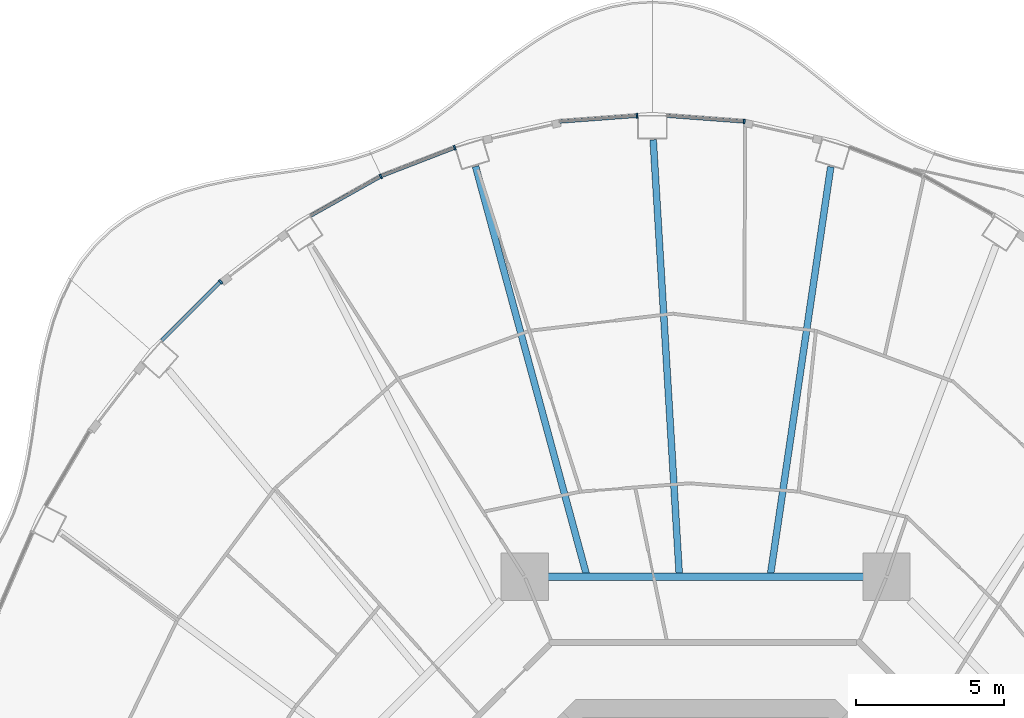
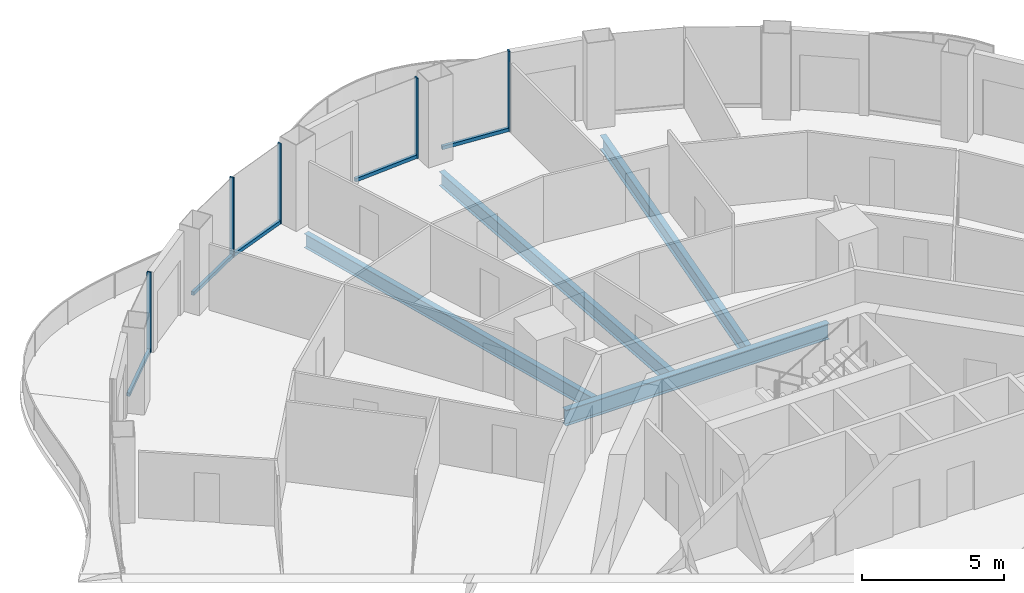
# One storey, part 6 of 18: 10 members, 4 beams, 5 elements without a shape of their own.
"""IFC4 building model written with IfcOpenShell, lengths in metres."""

from ifc_helpers import new_model, si_unit, direction, frame, origin, origin_2d, place, context, subcontext, project, spatial, rectangle, i_section, extrude, material, layer, layer_set, material_profile, profile_set, type_object, element, aggregate, save


model = new_model("IFC4")

# Units and contexts
model_context = context("Model", 3, precision=1e-05, world=origin(), true_north=direction((0.0, 1.0)))
body_context = subcontext(model_context, "Body", "Model", "MODEL_VIEW")
ifc_project = project(units=[si_unit("LENGTHUNIT", "METRE"), si_unit("AREAUNIT", "SQUARE_METRE"), si_unit("VOLUMEUNIT", "CUBIC_METRE"), si_unit("PLANEANGLEUNIT", "RADIAN"), si_unit("MASSUNIT", "GRAM", prefix="KILO")], contexts=[model_context])

# Site, building, storey
site_placement = place(None, origin())
site = spatial("IfcSite", under=ifc_project, at=site_placement, CompositionType="ELEMENT")
building_placement = place(site_placement, origin())
building = spatial("IfcBuilding", under=site, at=building_placement, Name="Nagisa Residences", CompositionType="ELEMENT")
storey_placement = place(building_placement, frame((0.0, 0.0, 212.199951171875)))
storey = spatial("IfcBuildingStorey", under=building, at=storey_placement, Name="L53", CompositionType="ELEMENT", Elevation=212.199951171875)

# Curtain wall, member
ifc_material_1 = material(Name="Concrete-coloured aluminium curtain wall system", Category="concrete")
ifc_layer = layer(ifc_material_1, 0.159912109375)
ifc_layer_set = layer_set([ifc_layer], Name="CW1 CURTAIN WALL")
curtain_wall_type = type_object("IfcCurtainWallType", Name="CW1 CURTAIN WALL", PredefinedType="NOTDEFINED", material=ifc_layer_set)
curtain_wall_1_placement = place(storey_placement, origin())
curtain_wall_1 = element("IfcCurtainWall", 1, at=curtain_wall_1_placement, inside=storey, type_object=curtain_wall_type, Name="cw:CW1:L53:11", PredefinedType="NOTDEFINED")
ifc_material_2 = material(Name="Concrete-coloured aluminium", Category="concrete")
ifc_material_profile_1 = material_profile(ifc_material_2, rectangle(XDim=0.159912109375, YDim=0.06005859375, at=origin_2d()), Name="CW1 MULLION 160x60")
ifc_profile_set_1 = profile_set([ifc_material_profile_1], Name="Concrete-coloured aluminium")
member_type_1 = type_object("IfcMemberType", Name="CW1 MULLION 160x60", PredefinedType="MULLION", material=ifc_profile_set_1)
member_1_placement = place(storey_placement, frame((1.305908203125, 30.19580078125, 0.0), z_axis=(0.0, 0.0, 1.0), x_axis=(-0.074377355493, -0.997230168512, 0.0)))
member_1 = element("IfcMember", 2, at=member_1_placement, type_object=member_type_1, Name="CW1 mullion", PredefinedType="MULLION", context=body_context, shape_type="SweptSolid", body=[
    extrude(rectangle(XDim=0.159912109375, YDim=0.06005859375, at=origin_2d()), origin(), (0.0, 0.0, 1.0), 3.43994140625),
])

curtain_wall_2_placement = place(storey_placement, origin())
curtain_wall_2 = element("IfcCurtainWall", 3, at=curtain_wall_2_placement, inside=storey, type_object=curtain_wall_type, Name="cw:CW1:L53:12", PredefinedType="NOTDEFINED")
member_2_placement = place(storey_placement, frame((-2.322509765625, 30.388427734375, 0.0), z_axis=(0.0, 0.0, 1.0), x_axis=(0.074377355493, -0.997230168512, 0.0)))
member_2 = element("IfcMember", 4, at=member_2_placement, type_object=member_type_1, Name="CW1 mullion", PredefinedType="MULLION", context=body_context, shape_type="SweptSolid", body=[
    extrude(rectangle(XDim=0.159912109375, YDim=0.06005859375, at=origin_2d()), origin(), (0.0, 0.0, 1.0), 3.43994140625),
])

curtain_wall_3_placement = place(storey_placement, origin())
curtain_wall_3 = element("IfcCurtainWall", 5, at=curtain_wall_3_placement, inside=storey, type_object=curtain_wall_type, Name="cw:CW1:L53:14", PredefinedType="NOTDEFINED")
member_3_placement = place(storey_placement, frame((-8.495361328125, 29.308837890625, 0.0), z_axis=(0.0, 0.0, 1.0), x_axis=(0.360327770268, -0.932825759707, 0.0)))
member_3 = element("IfcMember", 6, at=member_3_placement, type_object=member_type_1, Name="CW1 mullion", PredefinedType="MULLION", context=body_context, shape_type="SweptSolid", body=[
    extrude(rectangle(XDim=0.159912109375, YDim=0.06005859375, at=origin_2d()), origin(), (0.0, 0.0, 1.0), 3.43994140625),
])

curtain_wall_4_placement = place(storey_placement, origin())
curtain_wall_4 = element("IfcCurtainWall", 7, at=curtain_wall_4_placement, inside=storey, type_object=curtain_wall_type, Name="cw:CW1:L53:15", PredefinedType="NOTDEFINED")
member_4_placement = place(storey_placement, frame((-10.998291015625, 28.33837890625, 0.0), z_axis=(0.0, 0.0, 1.0), x_axis=(0.489376918501, -0.872072377523, 0.0)))
member_4 = element("IfcMember", 8, at=member_4_placement, type_object=member_type_1, Name="CW1 mullion", PredefinedType="MULLION", context=body_context, shape_type="SweptSolid", body=[
    extrude(rectangle(XDim=0.159912109375, YDim=0.06005859375, at=origin_2d()), origin(), (0.0, 0.0, 1.0), 3.43994140625),
])

curtain_wall_5_placement = place(storey_placement, origin())
curtain_wall_5 = element("IfcCurtainWall", 9, at=curtain_wall_5_placement, inside=storey, type_object=curtain_wall_type, Name="cw:CW1:L53:17", PredefinedType="NOTDEFINED")
member_5_placement = place(storey_placement, frame((-16.417724609375, 24.769775390625, 0.0), z_axis=(0.0, 0.0, 1.0), x_axis=(0.706376885714, -0.707835924016, 0.0)))
member_5 = element("IfcMember", 10, at=member_5_placement, type_object=member_type_1, Name="CW1 mullion", PredefinedType="MULLION", context=body_context, shape_type="SweptSolid", body=[
    extrude(rectangle(XDim=0.159912109375, YDim=0.06005859375, at=origin_2d()), origin(), (0.0, 0.0, 1.0), 3.43994140625),
])

# Member
ifc_material_3 = material(Name="Concrete-coloured aluminium", Category="concrete")
ifc_material_profile_2 = material_profile(ifc_material_3, rectangle(XDim=0.1201171875, YDim=0.14990234375, at=origin_2d()), Name="CW1 TRANSOM 120x150")
ifc_profile_set_2 = profile_set([ifc_material_profile_2], Name="Concrete-coloured aluminium")
member_type_2 = type_object("IfcMemberType", Name="CW1 TRANSOM 120x150", PredefinedType="USERDEFINED", material=ifc_profile_set_2)
member_6_placement = place(storey_placement, frame((1.335693359375, 30.193603515625, 0.074951171875), z_axis=(-0.997233213085, 0.074336523458, 0.0), x_axis=(-0.074336523458, -0.997233213085, 0.0)))
member_6 = element("IfcMember", 11, at=member_6_placement, type_object=member_type_2, Name="CW1 transom", ObjectType="TRANSOM", PredefinedType="USERDEFINED", context=body_context, shape_type="SweptSolid", body=[
    extrude(rectangle(XDim=0.1201171875, YDim=0.14990234375, at=origin_2d()), origin(), (0.0, 0.0, 1.0), 2.650390625),
])

aggregate(curtain_wall_1, [member_1, member_6])

member_7_placement = place(storey_placement, frame((-2.292724609375, 30.390625, 0.074951171875), z_axis=(-0.997233213085, -0.074336523458, 0.0), x_axis=(0.074336523458, -0.997233213085, 0.0)))
member_7 = element("IfcMember", 12, at=member_7_placement, type_object=member_type_2, Name="CW1 transom", ObjectType="TRANSOM", PredefinedType="USERDEFINED", context=body_context, shape_type="SweptSolid", body=[
    extrude(rectangle(XDim=0.1201171875, YDim=0.14990234375, at=origin_2d()), origin(), (0.0, 0.0, 1.0), 2.650390625),
])

aggregate(curtain_wall_2, [member_2, member_7])

member_8_placement = place(storey_placement, frame((-8.46728515625, 29.319580078125, 0.074951171875), z_axis=(-0.932838255163, -0.360295420044, 0.0), x_axis=(0.360295420044, -0.932838255163, 0.0)))
member_8 = element("IfcMember", 13, at=member_8_placement, type_object=member_type_2, Name="CW1 transom", ObjectType="TRANSOM", PredefinedType="USERDEFINED", context=body_context, shape_type="SweptSolid", body=[
    extrude(rectangle(XDim=0.1201171875, YDim=0.14990234375, at=origin_2d()), origin(), (0.0, 0.0, 1.0), 2.6962890625),
])

aggregate(curtain_wall_3, [member_3, member_8])

member_9_placement = place(storey_placement, frame((-10.971923828125, 28.35302734375, 0.074951171875), z_axis=(-0.872063230277, -0.489393218586, 0.0), x_axis=(0.489393218586, -0.872063230277, 0.0)))
member_9 = element("IfcMember", 14, at=member_9_placement, type_object=member_type_2, Name="CW1 transom", ObjectType="TRANSOM", PredefinedType="USERDEFINED", context=body_context, shape_type="SweptSolid", body=[
    extrude(rectangle(XDim=0.1201171875, YDim=0.14990234375, at=origin_2d()), origin(), (0.0, 0.0, 1.0), 2.73828125),
])

aggregate(curtain_wall_4, [member_4, member_9])

member_10_placement = place(storey_placement, frame((-16.396484375, 24.791015625, 0.074951171875), z_axis=(-0.707836044127, -0.706376765356, 0.0), x_axis=(0.706376765356, -0.707836044127, 0.0)))
member_10 = element("IfcMember", 15, at=member_10_placement, type_object=member_type_2, Name="CW1 transom", ObjectType="TRANSOM", PredefinedType="USERDEFINED", context=body_context, shape_type="SweptSolid", body=[
    extrude(rectangle(XDim=0.1201171875, YDim=0.14990234375, at=origin_2d()), origin(), (0.0, 0.0, 1.0), 2.84423828125),
])

aggregate(curtain_wall_5, [member_5, member_10])

# Beams
ifc_material_4 = material(Name="Steel ASTM A572 Gr 50", Category="steel")
ifc_material_profile_3 = material_profile(ifc_material_4, i_section(OverallWidth=0.2529296875, OverallDepth=0.677978515625, WebThickness=0.01171875, FlangeThickness=0.016357421875, at=origin_2d()), Name="W690x125")
ifc_profile_set_3 = profile_set([ifc_material_profile_3], Name="Steel ASTM A572 Gr 50")
beam_type_1 = type_object("IfcBeamType", Name="Inner ring beam W690x125", PredefinedType="BEAM", material=ifc_profile_set_3)
beam_1_placement = place(storey_placement, frame((5.343017578125, 14.781982421875, -0.598876953125), z_axis=(-1.0, 0.0, 0.0), x_axis=(0.0, -1.0, 0.0)))
element("IfcBeam", 16, at=beam_1_placement, inside=storey, type_object=beam_type_1, Name="beam:L53:ib2", PredefinedType="BEAM", context=body_context, shape_type="SweptSolid", body=[
    extrude(i_section(OverallWidth=0.2529296875, OverallDepth=0.677978515625, WebThickness=0.01171875, FlangeThickness=0.016357421875, at=origin_2d()), origin(), (0.0, 0.0, 1.0), 10.68603515625),
])
ifc_material_5 = material(Name="Steel ASTM A572 Gr 50", Category="steel")
ifc_material_profile_4 = material_profile(ifc_material_5, i_section(OverallWidth=0.22802734375, OverallDepth=0.60302734375, WebThickness=0.010498046875, FlangeThickness=0.014892578125, at=origin_2d()), Name="W610x101")
ifc_profile_set_4 = profile_set([ifc_material_profile_4], Name="Steel ASTM A572 Gr 50")
beam_type_2 = type_object("IfcBeamType", Name="Radial beam W610x101", PredefinedType="BEAM", material=ifc_profile_set_4)
beam_2_placement = place(storey_placement, frame((4.23681640625, 28.6611328125, -0.5615234375), z_axis=(-0.146234061979, -0.989250018508, 0.0), x_axis=(0.989250018508, -0.146234061979, 0.0)))
element("IfcBeam", 17, at=beam_2_placement, inside=storey, type_object=beam_type_2, Name="beam:L53:rb06", PredefinedType="BEAM", context=body_context, shape_type="SweptSolid", body=[
    extrude(i_section(OverallWidth=0.22802734375, OverallDepth=0.60302734375, WebThickness=0.010498046875, FlangeThickness=0.014892578125, at=origin_2d()), origin(), (0.0, 0.0, 1.0), 13.922119140625),
])
beam_3_placement = place(storey_placement, frame((-1.774169921875, 29.57763671875, -0.5615234375), z_axis=(0.059876420625, -0.998205797545, 0.0), x_axis=(0.998205797545, 0.059876420625, 0.0)))
element("IfcBeam", 18, at=beam_3_placement, inside=storey, type_object=beam_type_2, Name="beam:L53:rb07", PredefinedType="BEAM", context=body_context, shape_type="SweptSolid", body=[
    extrude(i_section(OverallWidth=0.22802734375, OverallDepth=0.60302734375, WebThickness=0.010498046875, FlangeThickness=0.014892578125, at=origin_2d()), origin(), (0.0, 0.0, 1.0), 14.71533203125),
])
beam_4_placement = place(storey_placement, frame((-7.78759765625, 28.67626953125, -0.5615234375), z_axis=(0.262076141156, -0.965047198968, 0.0), x_axis=(0.965047198968, 0.262076141156, 0.0)))
element("IfcBeam", 19, at=beam_4_placement, inside=storey, type_object=beam_type_2, Name="beam:L53:rb08", PredefinedType="BEAM", context=body_context, shape_type="SweptSolid", body=[
    extrude(i_section(OverallWidth=0.22802734375, OverallDepth=0.60302734375, WebThickness=0.010498046875, FlangeThickness=0.014892578125, at=origin_2d()), origin(), (0.0, 0.0, 1.0), 14.286376953125),
])

save(model, "model.ifc")
